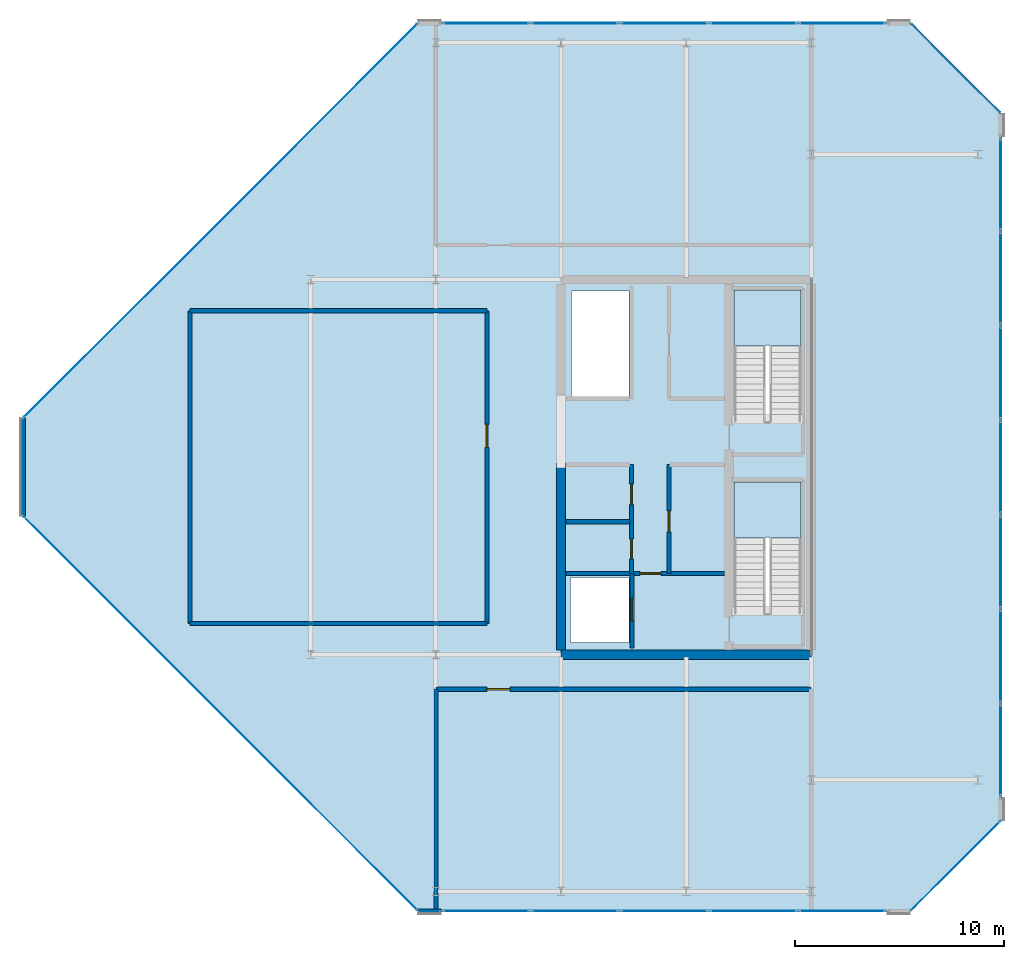
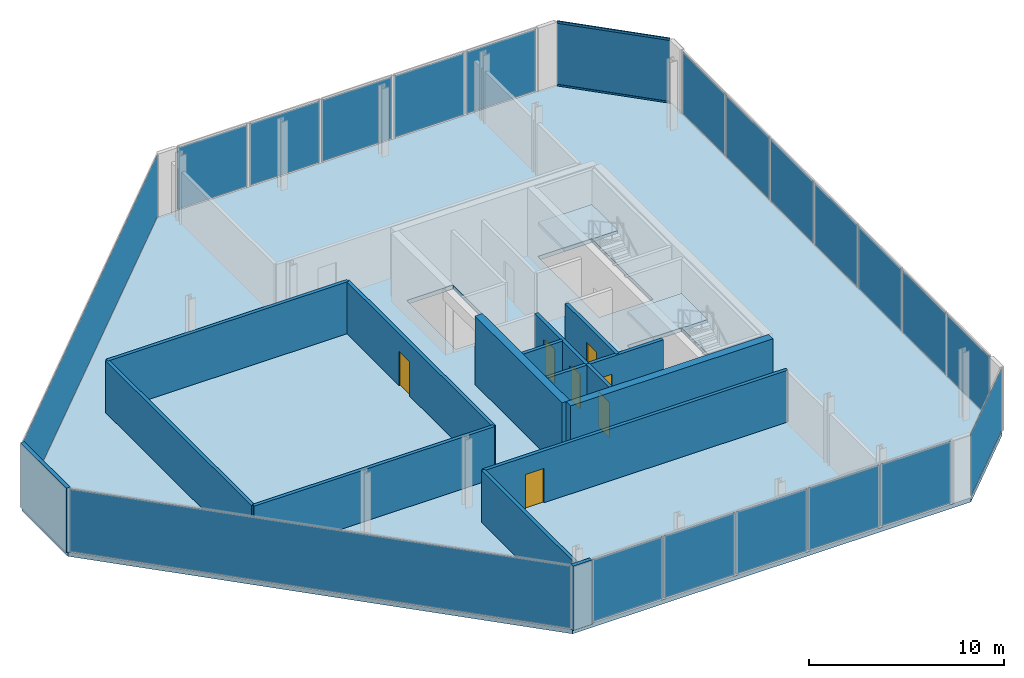
# One storey, part 13 of 16: 21 plates, 15 walls, 7 doors, 3 slabs, 2 members, 7 openings, 9 elements without a shape of their own.
"""IFC4 building model written with IfcOpenShell, lengths in metres."""

from ifc_helpers import new_model, si_unit, direction, frame, frame_2d, origin, origin_2d, place, context, subcontext, project, spatial, polyline, rectangle, hollow_rectangle, outline, extrude, material, layer, layer_set, material_profile, profile_set, type_object, element, fill, aggregate, save


model = new_model("IFC4")

# Units and contexts
model_context = context("Model", 3, precision=1e-05, world=origin(), true_north=direction((0.0, 1.0)))
body_context = subcontext(model_context, "Body", "Model", "MODEL_VIEW")
ifc_project = project(units=[si_unit("LENGTHUNIT", "METRE"), si_unit("AREAUNIT", "SQUARE_METRE"), si_unit("VOLUMEUNIT", "CUBIC_METRE"), si_unit("PLANEANGLEUNIT", "RADIAN"), si_unit("MASSUNIT", "GRAM", prefix="KILO")], contexts=[model_context])

# Site, building, storey
site_placement = place(None, origin())
site = spatial("IfcSite", under=ifc_project, at=site_placement, CompositionType="ELEMENT")
building_placement = place(site_placement, origin())
building = spatial("IfcBuilding", under=site, at=building_placement, Name="Tanjung Sevakor Pilgrim Tower", CompositionType="ELEMENT")
storey_placement = place(building_placement, frame((0.0, 0.0, 278.85009765625)))
storey = spatial("IfcBuildingStorey", under=building, at=storey_placement, Name="L78", CompositionType="ELEMENT", Elevation=278.85009765625)

# Curtain wall, members
ifc_material_1 = material(Name="Aluminium 6063-T6 and Low-E Glass", Category="aluminium")
ifc_layer_1 = layer(ifc_material_1, 0.179931640625)
ifc_layer_set_1 = layer_set([ifc_layer_1], Name="CW-SYS-CHAM")
curtain_wall_type_1 = type_object("IfcCurtainWallType", Name="CW-SYS-CHAM", PredefinedType="NOTDEFINED", material=ifc_layer_set_1)
curtain_wall_1_placement = place(storey_placement, origin())
curtain_wall_1 = element("IfcCurtainWall", 1, at=curtain_wall_1_placement, inside=storey, type_object=curtain_wall_type_1, Name="L78 Curtain Wall CW-CHM-L78-EAST-3", PredefinedType="NOTDEFINED")
ifc_material_2 = material(Name="Aluminium 6063-T6", Category="aluminium")
ifc_material_profile = material_profile(ifc_material_2, hollow_rectangle(XDim=0.06494140625, YDim=0.139892578125, WallThickness=0.00390625, at=origin_2d()))
ifc_profile_set = profile_set([ifc_material_profile], Name="Aluminium 6063-T6")
member_type = type_object("IfcMemberType", Name="TYPE-CWT-1", PredefinedType="USERDEFINED", material=ifc_profile_set)
member_1_placement = place(storey_placement, frame((99.0439453125, 50.600341796875, 0.032470703125), z_axis=(-0.707106781187, 0.707106781187, 0.0), x_axis=(-0.707106781187, -0.707106781187, 0.0)))
member_1 = element("IfcMember", 2, at=member_1_placement, type_object=member_type, Name="CW-CHM transom 1.1", ObjectType="TRANSOM", PredefinedType="USERDEFINED", context=body_context, shape_type="SweptSolid", body=[
    extrude(hollow_rectangle(XDim=0.06494140625, YDim=0.139892578125, WallThickness=0.00390625, at=origin_2d()), origin(), (0.0, 0.0, 1.0), 6.00146484375),
])
member_2_placement = place(storey_placement, frame((99.0439453125, 50.600341796875, 3.997314453125), z_axis=(-0.707106781187, 0.707106781187, 0.0), x_axis=(-0.707106781187, -0.707106781187, 0.0)))
member_2 = element("IfcMember", 3, at=member_2_placement, type_object=member_type, Name="CW-CHM transom 1.2", ObjectType="TRANSOM", PredefinedType="USERDEFINED", context=body_context, shape_type="SweptSolid", body=[
    extrude(hollow_rectangle(XDim=0.06494140625, YDim=0.139892578125, WallThickness=0.00390625, at=origin_2d()), origin(), (0.0, 0.0, 1.0), 6.00146484375),
])

# Slab
ifc_material_3 = material(Name="Concrete C40/50", Category="concrete")
ifc_layer_2 = layer(ifc_material_3, 0.260009765625)
ifc_layer_set_2 = layer_set([ifc_layer_2], Name="SL-CRN-260")
slab_type_1 = type_object("IfcSlabType", Name="SL-CRN-260", PredefinedType="FLOOR", material=ifc_layer_set_2)
slab_1_placement = place(storey_placement, frame((0.0, 0.0, -0.260009765625)))
element("IfcSlab", 4, at=slab_1_placement, inside=storey, type_object=slab_type_1, Name="L78 Floor Slab EAST", PredefinedType="FLOOR", context=body_context, shape_type="SweptSolid", body=[
    extrude(outline(polyline([(71.14697265625, 12.280029296875), (94.753173828125, 12.280029296875), (99.1201171875, 16.64697265625), (99.1201171875, 50.552978515625), (94.753173828125, 54.919921875), (71.14697265625, 54.919921875), (52.179931640625, 35.953125), (52.179931640625, 31.246826171875), (71.14697265625, 12.280029296875)]), holes=[polyline([(89.5, 26.60009765625), (89.5, 32.89990234375), (86.300048828125, 32.89990234375), (86.300048828125, 26.60009765625), (89.5, 26.60009765625)]), polyline([(89.5, 35.800048828125), (89.5, 42.10009765625), (86.300048828125, 42.10009765625), (86.300048828125, 35.800048828125), (89.5, 35.800048828125)]), polyline([(78.449951171875, 25.199951171875), (81.25, 25.199951171875), (81.25, 28.300048828125), (78.449951171875, 28.300048828125), (78.449951171875, 25.199951171875)]), polyline([(78.5, 37.0), (81.25, 37.0), (81.25, 42.050048828125), (78.5, 42.050048828125), (78.5, 37.0)])]), origin(), (0.0, 0.0, 1.0), 0.260009765625),
])

# Stair, slab
ifc_material_4 = material(Name="Concrete C40/50", Category="concrete")
stair_type = type_object("IfcStairType", Name="STAIR-ST-CR150", PredefinedType="HALF_TURN_STAIR", material=ifc_material_4)
stair_1_placement = place(storey_placement, origin())
stair_1 = element("IfcStair", 5, at=stair_1_placement, inside=storey, type_object=stair_type, Name="L78 East Core Exit Stair 1", PredefinedType="HALF_TURN_STAIR")
ifc_material_5 = material(Name="Concrete C40/50", Category="concrete")
ifc_layer_3 = layer(ifc_material_5, 0.199951171875)
ifc_layer_set_3 = layer_set([ifc_layer_3], Name="SL-LAND-200")
slab_type_2 = type_object("IfcSlabType", Name="SL-LAND-200", PredefinedType="LANDING", material=ifc_layer_set_3)
slab_2_placement = place(storey_placement, frame((0.0, 0.0, 1.94482421875)))
slab_2 = element("IfcSlab", 6, at=slab_2_placement, type_object=slab_type_2, Name="TS-E1 landing 1", PredefinedType="LANDING", context=body_context, shape_type="SweptSolid", body=[
    extrude(outline(polyline([(89.5, 30.199951171875), (89.5, 32.89990234375), (86.300048828125, 32.89990234375), (86.300048828125, 30.199951171875), (89.5, 30.199951171875)])), origin(), (0.0, 0.0, 1.0), 0.2001953125),
])
aggregate(stair_1, [slab_2])

stair_2_placement = place(storey_placement, origin())
stair_2 = element("IfcStair", 7, at=stair_2_placement, inside=storey, type_object=stair_type, Name="L78 East Core Exit Stair 2", PredefinedType="HALF_TURN_STAIR")
slab_3_placement = place(storey_placement, frame((0.0, 0.0, 1.94482421875)))
slab_3 = element("IfcSlab", 8, at=slab_3_placement, type_object=slab_type_2, Name="TS-E2 landing 1", PredefinedType="LANDING", context=body_context, shape_type="SweptSolid", body=[
    extrude(outline(polyline([(89.5, 39.39990234375), (89.5, 42.10009765625), (86.300048828125, 42.10009765625), (86.300048828125, 39.39990234375), (89.5, 39.39990234375)])), origin(), (0.0, 0.0, 1.0), 0.2001953125),
])
aggregate(stair_2, [slab_3])

# Curtain wall, plates
ifc_material_6 = material(Name="Aluminium 6063-T6 and Low-E Glass", Category="aluminium")
ifc_layer_4 = layer(ifc_material_6, 0.219970703125)
ifc_layer_set_4 = layer_set([ifc_layer_4], Name="CW-SYS-CRNE")
curtain_wall_type_2 = type_object("IfcCurtainWallType", Name="CW-SYS-CRNE", PredefinedType="NOTDEFINED", material=ifc_layer_set_4)
curtain_wall_2_placement = place(storey_placement, origin())
curtain_wall_2 = element("IfcCurtainWall", 9, at=curtain_wall_2_placement, inside=storey, type_object=curtain_wall_type_2, Name="L78 Curtain Wall CW-CRN-L78-EAST-0-1", PredefinedType="NOTDEFINED")
ifc_material_7 = material(Name="Laminated Low-E Double Glazing", Category="glass")
ifc_layer_5 = layer(ifc_material_7, 0.028076171875)
ifc_layer_set_5 = layer_set([ifc_layer_5], Name="TYPE-CWP-GLZ1")
plate_type = type_object("IfcPlateType", Name="TYPE-CWP-GLZ1", PredefinedType="CURTAIN_PANEL", material=ifc_layer_set_5)
plate_1_placement = place(storey_placement, frame((74.406494140625, 12.31005859375, 0.079833984375), z_axis=(0.0, 0.0, 1.0), x_axis=(1.0, 0.0, 0.0)))
plate_1 = element("IfcPlate", 10, at=plate_1_placement, type_object=plate_type, Name="CW-CRE panel 1.1", PredefinedType="CURTAIN_PANEL", context=body_context, shape_type="SweptSolid", body=[
    extrude(rectangle(XDim=4.161865234375, YDim=0.028076171875, at=origin_2d()), origin(), (0.0, 0.0, 1.0), 3.8701171875),
])
plate_2_placement = place(storey_placement, frame((78.668212890625, 12.31005859375, 0.079833984375), z_axis=(0.0, 0.0, 1.0), x_axis=(1.0, 0.0, 0.0)))
plate_2 = element("IfcPlate", 11, at=plate_2_placement, type_object=plate_type, Name="CW-CRE panel 2.1", PredefinedType="CURTAIN_PANEL", context=body_context, shape_type="SweptSolid", body=[
    extrude(rectangle(XDim=4.20166015625, YDim=0.028076171875, at=origin_2d()), origin(), (0.0, 0.0, 1.0), 3.8701171875),
])
plate_3_placement = place(storey_placement, frame((82.949951171875, 12.31005859375, 0.079833984375), z_axis=(0.0, 0.0, 1.0), x_axis=(1.0, 0.0, 0.0)))
plate_3 = element("IfcPlate", 12, at=plate_3_placement, type_object=plate_type, Name="CW-CRE panel 3.1", PredefinedType="CURTAIN_PANEL", context=body_context, shape_type="SweptSolid", body=[
    extrude(rectangle(XDim=4.20166015625, YDim=0.028076171875, at=origin_2d()), origin(), (0.0, 0.0, 1.0), 3.8701171875),
])
plate_4_placement = place(storey_placement, frame((87.231689453125, 12.31005859375, 0.079833984375), z_axis=(0.0, 0.0, 1.0), x_axis=(1.0, 0.0, 0.0)))
plate_4 = element("IfcPlate", 13, at=plate_4_placement, type_object=plate_type, Name="CW-CRE panel 4.1", PredefinedType="CURTAIN_PANEL", context=body_context, shape_type="SweptSolid", body=[
    extrude(rectangle(XDim=4.20166015625, YDim=0.028076171875, at=origin_2d()), origin(), (0.0, 0.0, 1.0), 3.8701171875),
])
plate_5_placement = place(storey_placement, frame((91.493408203125, 12.31005859375, 0.079833984375), z_axis=(0.0, 0.0, 1.0), x_axis=(1.0, 0.0, 0.0)))
plate_5 = element("IfcPlate", 14, at=plate_5_placement, type_object=plate_type, Name="CW-CRE panel 5.1", PredefinedType="CURTAIN_PANEL", context=body_context, shape_type="SweptSolid", body=[
    extrude(rectangle(XDim=4.161865234375, YDim=0.028076171875, at=origin_2d()), origin(), (0.0, 0.0, 1.0), 3.8701171875),
])
aggregate(curtain_wall_2, [plate_1, plate_2, plate_3, plate_4, plate_5])

# Curtain wall, plate
curtain_wall_3_placement = place(storey_placement, origin())
curtain_wall_3 = element("IfcCurtainWall", 15, at=curtain_wall_3_placement, inside=storey, type_object=curtain_wall_type_1, Name="L78 Curtain Wall CW-CHM-L78-EAST-1", PredefinedType="NOTDEFINED")
plate_6_placement = place(storey_placement, frame((96.922119140625, 14.477783203125, 0.06494140625), z_axis=(0.0, 0.0, 1.0), x_axis=(0.707106781187, 0.707106781187, 0.0)))
plate_6 = element("IfcPlate", 16, at=plate_6_placement, type_object=plate_type, Name="CW-CHM panel 1.1", PredefinedType="CURTAIN_PANEL", context=body_context, shape_type="SweptSolid", body=[
    extrude(rectangle(XDim=6.00146484375, YDim=0.028076171875, at=origin_2d()), origin(), (0.0, 0.0, 1.0), 3.89990234375),
])
aggregate(curtain_wall_3, [plate_6])

# Curtain wall, plates
curtain_wall_4_placement = place(storey_placement, origin())
curtain_wall_4 = element("IfcCurtainWall", 17, at=curtain_wall_4_placement, inside=storey, type_object=curtain_wall_type_2, Name="L78 Curtain Wall CW-CRN-L78-EAST-2-1", PredefinedType="NOTDEFINED")
plate_7_placement = place(storey_placement, frame((99.090087890625, 20.030517578125, 0.079833984375), z_axis=(0.0, 0.0, 1.0), x_axis=(0.0, 1.0, 0.0)))
plate_7 = element("IfcPlate", 18, at=plate_7_placement, type_object=plate_type, Name="CW-CRE panel 1.1", PredefinedType="CURTAIN_PANEL", context=body_context, shape_type="SweptSolid", body=[
    extrude(rectangle(XDim=4.409912109375, YDim=0.028076171875, at=origin_2d()), origin(), (0.0, 0.0, 1.0), 3.8701171875),
])
plate_8_placement = place(storey_placement, frame((99.090087890625, 24.540283203125, 0.079833984375), z_axis=(0.0, 0.0, 1.0), x_axis=(0.0, 1.0, 0.0)))
plate_8 = element("IfcPlate", 19, at=plate_8_placement, type_object=plate_type, Name="CW-CRE panel 2.1", PredefinedType="CURTAIN_PANEL", context=body_context, shape_type="SweptSolid", body=[
    extrude(rectangle(XDim=4.44970703125, YDim=0.028076171875, at=origin_2d()), origin(), (0.0, 0.0, 1.0), 3.8701171875),
])
plate_9_placement = place(storey_placement, frame((99.090087890625, 29.070068359375, 0.079833984375), z_axis=(0.0, 0.0, 1.0), x_axis=(0.0, 1.0, 0.0)))
plate_9 = element("IfcPlate", 20, at=plate_9_placement, type_object=plate_type, Name="CW-CRE panel 3.1", PredefinedType="CURTAIN_PANEL", context=body_context, shape_type="SweptSolid", body=[
    extrude(rectangle(XDim=4.44970703125, YDim=0.028076171875, at=origin_2d()), origin(), (0.0, 0.0, 1.0), 3.8701171875),
])
plate_10_placement = place(storey_placement, frame((99.090087890625, 33.60009765625, 0.079833984375), z_axis=(0.0, 0.0, 1.0), x_axis=(0.0, 1.0, 0.0)))
plate_10 = element("IfcPlate", 21, at=plate_10_placement, type_object=plate_type, Name="CW-CRE panel 4.1", PredefinedType="CURTAIN_PANEL", context=body_context, shape_type="SweptSolid", body=[
    extrude(rectangle(XDim=4.44970703125, YDim=0.028076171875, at=origin_2d()), origin(), (0.0, 0.0, 1.0), 3.8701171875),
])
plate_11_placement = place(storey_placement, frame((99.090087890625, 38.1298828125, 0.079833984375), z_axis=(0.0, 0.0, 1.0), x_axis=(0.0, 1.0, 0.0)))
plate_11 = element("IfcPlate", 22, at=plate_11_placement, type_object=plate_type, Name="CW-CRE panel 5.1", PredefinedType="CURTAIN_PANEL", context=body_context, shape_type="SweptSolid", body=[
    extrude(rectangle(XDim=4.44970703125, YDim=0.028076171875, at=origin_2d()), origin(), (0.0, 0.0, 1.0), 3.8701171875),
])
plate_12_placement = place(storey_placement, frame((99.090087890625, 42.65966796875, 0.079833984375), z_axis=(0.0, 0.0, 1.0), x_axis=(0.0, 1.0, 0.0)))
plate_12 = element("IfcPlate", 23, at=plate_12_placement, type_object=plate_type, Name="CW-CRE panel 6.1", PredefinedType="CURTAIN_PANEL", context=body_context, shape_type="SweptSolid", body=[
    extrude(rectangle(XDim=4.44970703125, YDim=0.028076171875, at=origin_2d()), origin(), (0.0, 0.0, 1.0), 3.8701171875),
])
plate_13_placement = place(storey_placement, frame((99.090087890625, 47.16943359375, 0.079833984375), z_axis=(0.0, 0.0, 1.0), x_axis=(0.0, 1.0, 0.0)))
plate_13 = element("IfcPlate", 24, at=plate_13_placement, type_object=plate_type, Name="CW-CRE panel 7.1", PredefinedType="CURTAIN_PANEL", context=body_context, shape_type="SweptSolid", body=[
    extrude(rectangle(XDim=4.409912109375, YDim=0.028076171875, at=origin_2d()), origin(), (0.0, 0.0, 1.0), 3.8701171875),
])
aggregate(curtain_wall_4, [plate_7, plate_8, plate_9, plate_10, plate_11, plate_12, plate_13])

# Plate
plate_14_placement = place(storey_placement, frame((96.922119140625, 52.72216796875, 0.06494140625), z_axis=(0.0, 0.0, 1.0), x_axis=(-0.707106781187, 0.707106781187, 0.0)))
plate_14 = element("IfcPlate", 25, at=plate_14_placement, type_object=plate_type, Name="CW-CHM panel 1.1", PredefinedType="CURTAIN_PANEL", context=body_context, shape_type="SweptSolid", body=[
    extrude(rectangle(XDim=6.00146484375, YDim=0.028076171875, at=origin_2d()), origin(), (0.0, 0.0, 1.0), 3.89990234375),
])

aggregate(curtain_wall_1, [member_1, member_2, plate_14])

# Curtain wall, plates
curtain_wall_5_placement = place(storey_placement, origin())
curtain_wall_5 = element("IfcCurtainWall", 26, at=curtain_wall_5_placement, inside=storey, type_object=curtain_wall_type_2, Name="L78 Curtain Wall CW-CRN-L78-EAST-4-1", PredefinedType="NOTDEFINED")
plate_15_placement = place(storey_placement, frame((91.493408203125, 54.889892578125, 0.079833984375), z_axis=(0.0, 0.0, 1.0), x_axis=(-1.0, 0.0, 0.0)))
plate_15 = element("IfcPlate", 27, at=plate_15_placement, type_object=plate_type, Name="CW-CRE panel 1.1", PredefinedType="CURTAIN_PANEL", context=body_context, shape_type="SweptSolid", body=[
    extrude(rectangle(XDim=4.161865234375, YDim=0.028076171875, at=origin_2d()), origin(), (0.0, 0.0, 1.0), 3.8701171875),
])
plate_16_placement = place(storey_placement, frame((87.231689453125, 54.889892578125, 0.079833984375), z_axis=(0.0, 0.0, 1.0), x_axis=(-1.0, 0.0, 0.0)))
plate_16 = element("IfcPlate", 28, at=plate_16_placement, type_object=plate_type, Name="CW-CRE panel 2.1", PredefinedType="CURTAIN_PANEL", context=body_context, shape_type="SweptSolid", body=[
    extrude(rectangle(XDim=4.20166015625, YDim=0.028076171875, at=origin_2d()), origin(), (0.0, 0.0, 1.0), 3.8701171875),
])
plate_17_placement = place(storey_placement, frame((82.949951171875, 54.889892578125, 0.079833984375), z_axis=(0.0, 0.0, 1.0), x_axis=(-1.0, 0.0, 0.0)))
plate_17 = element("IfcPlate", 29, at=plate_17_placement, type_object=plate_type, Name="CW-CRE panel 3.1", PredefinedType="CURTAIN_PANEL", context=body_context, shape_type="SweptSolid", body=[
    extrude(rectangle(XDim=4.20166015625, YDim=0.028076171875, at=origin_2d()), origin(), (0.0, 0.0, 1.0), 3.8701171875),
])
plate_18_placement = place(storey_placement, frame((78.668212890625, 54.889892578125, 0.079833984375), z_axis=(0.0, 0.0, 1.0), x_axis=(-1.0, 0.0, 0.0)))
plate_18 = element("IfcPlate", 30, at=plate_18_placement, type_object=plate_type, Name="CW-CRE panel 4.1", PredefinedType="CURTAIN_PANEL", context=body_context, shape_type="SweptSolid", body=[
    extrude(rectangle(XDim=4.20166015625, YDim=0.028076171875, at=origin_2d()), origin(), (0.0, 0.0, 1.0), 3.8701171875),
])
plate_19_placement = place(storey_placement, frame((74.406494140625, 54.889892578125, 0.079833984375), z_axis=(0.0, 0.0, 1.0), x_axis=(-1.0, 0.0, 0.0)))
plate_19 = element("IfcPlate", 31, at=plate_19_placement, type_object=plate_type, Name="CW-CRE panel 5.1", PredefinedType="CURTAIN_PANEL", context=body_context, shape_type="SweptSolid", body=[
    extrude(rectangle(XDim=4.161865234375, YDim=0.028076171875, at=origin_2d()), origin(), (0.0, 0.0, 1.0), 3.8701171875),
])
aggregate(curtain_wall_5, [plate_15, plate_16, plate_17, plate_18, plate_19])

# Curtain wall, plate
curtain_wall_6_placement = place(storey_placement, origin())
curtain_wall_6 = element("IfcCurtainWall", 32, at=curtain_wall_6_placement, inside=storey, type_object=curtain_wall_type_1, Name="L78 Curtain Wall CW-CHM-L78-EAST-5", PredefinedType="NOTDEFINED")
plate_20_placement = place(storey_placement, frame((61.677734375, 45.422119140625, 0.06494140625), z_axis=(0.0, 0.0, 1.0), x_axis=(-0.707106781187, -0.707106781187, 0.0)))
plate_20 = element("IfcPlate", 33, at=plate_20_placement, type_object=plate_type, Name="CW-CHM panel 1.1", PredefinedType="CURTAIN_PANEL", context=body_context, shape_type="SweptSolid", body=[
    extrude(rectangle(XDim=26.64892578125, YDim=0.028076171875, at=origin_2d()), origin(), (0.0, 0.0, 1.0), 3.89990234375),
])
aggregate(curtain_wall_6, [plate_20])

curtain_wall_7_placement = place(storey_placement, origin())
curtain_wall_7 = element("IfcCurtainWall", 34, at=curtain_wall_7_placement, inside=storey, type_object=curtain_wall_type_1, Name="L78 Curtain Wall CW-CHM-L78-EAST-7", PredefinedType="NOTDEFINED")
plate_21_placement = place(storey_placement, frame((61.677734375, 21.77783203125, 0.06494140625), z_axis=(0.0, 0.0, 1.0), x_axis=(0.707106781187, -0.707106781187, 0.0)))
plate_21 = element("IfcPlate", 35, at=plate_21_placement, type_object=plate_type, Name="CW-CHM panel 1.1", PredefinedType="CURTAIN_PANEL", context=body_context, shape_type="SweptSolid", body=[
    extrude(rectangle(XDim=26.64892578125, YDim=0.028076171875, at=origin_2d()), origin(), (0.0, 0.0, 1.0), 3.89990234375),
])
aggregate(curtain_wall_7, [plate_21])

# Walls
ifc_material_8 = material(Name="Concrete C60/75", Category="concrete")
ifc_layer_6 = layer(ifc_material_8, 0.449951171875)
ifc_layer_set_6 = layer_set([ifc_layer_6], Name="WALL-CW-450")
wall_type_1 = type_object("IfcWallType", Name="WALL-CW-450", PredefinedType="SHEAR", material=ifc_layer_set_6)
wall_1_placement = place(storey_placement, frame((78.0, 24.60009765625, 0.0), z_axis=(0.0, 0.0, 1.0), x_axis=(1.0, 0.0, 0.0)))
element("IfcWall", 36, at=wall_1_placement, inside=storey, type_object=wall_type_1, Name="L78 E Core South Shear Wall", PredefinedType="SHEAR", context=body_context, shape_type="SweptSolid", body=[
    extrude(rectangle(XDim=12.0, YDim=0.449951171875, at=frame_2d((6.0, 0.0))), origin(), (0.0, 0.0, 1.0), 4.289794921875),
])
wall_2_placement = place(storey_placement, frame((78.0, 24.824951171875, 0.0), z_axis=(0.0, 0.0, 1.0), x_axis=(0.0, 1.0, 0.0)))
element("IfcWall", 37, at=wall_2_placement, inside=storey, type_object=wall_type_1, Name="L78 E Core Inner Shear Wall South", PredefinedType="SHEAR", context=body_context, shape_type="SweptSolid", body=[
    extrude(rectangle(XDim=8.97509765625, YDim=0.449951171875, at=frame_2d((4.487548828125, 0.0))), origin(), (0.0, 0.0, 1.0), 4.289794921875),
])
ifc_material_9 = material(Name="Precast concrete C45/55", Category="concrete")
ifc_layer_7 = layer(ifc_material_9, 0.219970703125)
ifc_layer_set_7 = layer_set([ifc_layer_7], Name="WT-EW-STN4")
wall_type_2 = type_object("IfcWallType", Name="WT-EW-STN4", PredefinedType="SOLIDWALL", material=ifc_layer_set_7)
wall_3_placement = place(storey_placement, frame((71.1455078125, 12.31005859375, 0.0), z_axis=(0.0, 0.0, 1.0), x_axis=(1.0, 0.0, 0.0)))
element("IfcWall", 38, at=wall_3_placement, inside=storey, type_object=wall_type_2, Name="L78 EAST Crown Pier 0-1A", PredefinedType="SOLIDWALL", context=body_context, shape_type="SweptSolid", body=[
    extrude(rectangle(XDim=1.10009765625, YDim=0.219970703125, at=frame_2d((0.550048828125, 0.0))), origin(), (0.0, 0.0, 1.0), 4.030029296875),
])
wall_4_placement = place(storey_placement, frame((52.2099609375, 35.954345703125, 0.0), z_axis=(0.0, 0.0, 1.0), x_axis=(0.0, -1.0, 0.0)))
element("IfcWall", 39, at=wall_4_placement, inside=storey, type_object=wall_type_2, Name="L78 EAST Exterior Wall 7", PredefinedType="SOLIDWALL", context=body_context, shape_type="SweptSolid", body=[
    extrude(rectangle(XDim=4.708740234375, YDim=0.219970703125, at=frame_2d((2.3544921875, 0.0))), origin(), (0.0, 0.0, 1.0), 4.030029296875),
])

# Wall, opening, door
ifc_material_10 = material(Name="Concrete C40/50", Category="concrete")
ifc_layer_8 = layer(ifc_material_10, 0.199951171875)
ifc_layer_set_8 = layer_set([ifc_layer_8], Name="WT-FPRT-200")
wall_type_3 = type_object("IfcWallType", Name="WT-FPRT-200", PredefinedType="SOLIDWALL", material=ifc_layer_set_8)
wall_5_placement = place(storey_placement, frame((81.39990234375, 24.919921875, 0.0), z_axis=(0.0, 0.0, 1.0), x_axis=(0.0, 1.0, 0.0)))
wall_5 = element("IfcWall", 40, at=wall_5_placement, inside=storey, type_object=wall_type_3, Name="L78 Partition IW-L78-001", PredefinedType="SOLIDWALL", context=body_context, shape_type="SweptSolid", body=[
    extrude(rectangle(XDim=3.580078125, YDim=0.199951171875, at=frame_2d((1.7900390625, 0.0))), origin(), (0.0, 0.0, 1.0), 3.25),
])
opening_1_placement = place(wall_5_placement, frame((1.300048828125, 0.0, 0.0)))
opening_1 = element("IfcOpeningElement", 41, at=opening_1_placement, cuts=wall_5, Name="Opening LD-1100", PredefinedType="OPENING", context=body_context, shape_type="SweptSolid", body=[
    extrude(rectangle(XDim=1.10009765625, YDim=2.199951171875, at=frame_2d((0.550048828125, 1.10009765625))), frame((0.0, 0.10986328125, 0.0), z_axis=(0.0, -1.0, 0.0), x_axis=(1.0, 0.0, 0.0)), (0.0, 0.0, 1.0), 0.219970703125),
])
ifc_material_11 = material(Name="Brushed Stainless Steel S355J2", Category="steel")
door_type_1 = type_object("IfcDoorType", Name="DT-LIFT-1100", OperationType="SLIDING_TO_LEFT", PredefinedType="DOOR", material=ifc_material_11)
door_1_placement = place(opening_1_placement, origin())
door_1 = element("IfcDoor", 42, at=door_1_placement, inside=storey, type_object=door_type_1, Name="LD-FL-E", OperationType="SLIDING_TO_LEFT", OverallHeight=2.199951171875, OverallWidth=1.10009765625, PredefinedType="DOOR", context=body_context, shape_type="SweptSolid", body=[
    extrude(rectangle(XDim=1.10009765625, YDim=2.199951171875, at=frame_2d((0.550048828125, 1.10009765625))), frame((0.0, 0.02490234375, 0.0), z_axis=(0.0, -1.0, 0.0), x_axis=(1.0, 0.0, 0.0)), (0.0, 0.0, 1.0), 0.050048828125),
])
fill(opening_1, door_1)

wall_6_placement = place(storey_placement, frame((78.2451171875, 28.5, 0.0), z_axis=(0.0, 0.0, 1.0), x_axis=(1.0, 0.0, 0.0)))
wall_6 = element("IfcWall", 43, at=wall_6_placement, inside=storey, type_object=wall_type_3, Name="L78 Partition IW-L78-002", PredefinedType="SOLIDWALL", context=body_context, shape_type="SweptSolid", body=[
    extrude(rectangle(XDim=7.5849609375, YDim=0.199951171875, at=frame_2d((3.79248046875, 0.0))), origin(), (0.0, 0.0, 1.0), 3.25),
])
opening_2_placement = place(wall_6_placement, frame((3.554931640625, 0.0, 0.0)))
opening_2 = element("IfcOpeningElement", 44, at=opening_2_placement, cuts=wall_6, Name="Opening ID-FD1", PredefinedType="OPENING", context=body_context, shape_type="SweptSolid", body=[
    extrude(rectangle(XDim=1.0, YDim=2.14990234375, at=frame_2d((0.5, 1.074951171875))), frame((0.0, 0.10986328125, 0.0), z_axis=(0.0, -1.0, 0.0), x_axis=(1.0, 0.0, 0.0)), (0.0, 0.0, 1.0), 0.219970703125),
])
ifc_material_12 = material(Name="Fire-Rated Steel S355J2", Category="steel")
door_type_2 = type_object("IfcDoorType", Name="DT-FIRE-1000", OperationType="NOTDEFINED", PredefinedType="DOOR", material=ifc_material_12)
door_2_placement = place(opening_2_placement, origin())
door_2 = element("IfcDoor", 45, at=door_2_placement, inside=storey, type_object=door_type_2, Name="Fire Lobby Door E", OperationType="SINGLE_SWING_LEFT", OverallHeight=2.14990234375, OverallWidth=1.0, PredefinedType="DOOR", context=body_context, shape_type="SweptSolid", body=[
    extrude(rectangle(XDim=1.0, YDim=2.14990234375, at=frame_2d((0.5, 1.074951171875))), frame((0.0, 0.02490234375, 0.0), z_axis=(0.0, -1.0, 0.0), x_axis=(1.0, 0.0, 0.0)), (0.0, 0.0, 1.0), 0.050048828125),
])
fill(opening_2, door_2)

wall_7_placement = place(storey_placement, frame((83.179931640625, 28.5, 0.0), z_axis=(0.0, 0.0, 1.0), x_axis=(0.0, 1.0, 0.0)))
wall_7 = element("IfcWall", 46, at=wall_7_placement, inside=storey, type_object=wall_type_3, Name="L78 Partition IW-L78-004", PredefinedType="SOLIDWALL", context=body_context, shape_type="SweptSolid", body=[
    extrude(rectangle(XDim=5.219970703125, YDim=0.199951171875, at=frame_2d((2.60986328125, 0.0))), origin(), (0.0, 0.0, 1.0), 3.25),
])
opening_3_placement = place(wall_7_placement, frame((2.0, 0.0, 0.0)))
opening_3 = element("IfcOpeningElement", 47, at=opening_3_placement, cuts=wall_7, Name="Opening ID-FD1", PredefinedType="OPENING", context=body_context, shape_type="SweptSolid", body=[
    extrude(rectangle(XDim=1.0, YDim=2.14990234375, at=frame_2d((0.5, 1.074951171875))), frame((0.0, 0.10986328125, 0.0), z_axis=(0.0, -1.0, 0.0), x_axis=(1.0, 0.0, 0.0)), (0.0, 0.0, 1.0), 0.219970703125),
])
door_3_placement = place(opening_3_placement, origin())
door_3 = element("IfcDoor", 48, at=door_3_placement, inside=storey, type_object=door_type_2, Name="L78 Core Plant Door", OperationType="SINGLE_SWING_RIGHT", OverallHeight=2.14990234375, OverallWidth=1.0, PredefinedType="DOOR", context=body_context, shape_type="SweptSolid", body=[
    extrude(rectangle(XDim=1.0, YDim=2.14990234375, at=frame_2d((0.5, 1.074951171875))), frame((0.0, 0.02490234375, 0.0), z_axis=(0.0, -1.0, 0.0), x_axis=(1.0, 0.0, 0.0)), (0.0, 0.0, 1.0), 0.050048828125),
])
fill(opening_3, door_3)

# Wall
wall_8_placement = place(storey_placement, frame((78.2451171875, 30.97998046875, 0.0), z_axis=(0.0, 0.0, 1.0), x_axis=(1.0, 0.0, 0.0)))
element("IfcWall", 49, at=wall_8_placement, inside=storey, type_object=wall_type_3, Name="L78 Partition IW-L78-005", PredefinedType="SOLIDWALL", context=body_context, shape_type="SweptSolid", body=[
    extrude(rectangle(XDim=3.074951171875, YDim=0.199951171875, at=frame_2d((1.53759765625, 0.0))), origin(), (0.0, 0.0, 1.0), 3.25),
])

# Wall, openings, doors
wall_9_placement = place(storey_placement, frame((81.3798828125, 28.5, 0.0), z_axis=(0.0, 0.0, 1.0), x_axis=(0.0, 1.0, 0.0)))
wall_9 = element("IfcWall", 50, at=wall_9_placement, inside=storey, type_object=wall_type_3, Name="L78 Partition IW-L78-007", PredefinedType="SOLIDWALL", context=body_context, shape_type="SweptSolid", body=[
    extrude(rectangle(XDim=5.219970703125, YDim=0.199951171875, at=frame_2d((2.60986328125, 0.0))), origin(), (0.0, 0.0, 1.0), 3.25),
])
opening_4_placement = place(wall_9_placement, frame((0.699951171875, 0.0, 0.0)))
opening_4 = element("IfcOpeningElement", 51, at=opening_4_placement, cuts=wall_9, Name="Opening ID-FD2", PredefinedType="OPENING", context=body_context, shape_type="SweptSolid", body=[
    extrude(rectangle(XDim=0.949951171875, YDim=2.14990234375, at=frame_2d((0.47509765625, 1.074951171875))), frame((0.0, 0.10986328125, 0.0), z_axis=(0.0, -1.0, 0.0), x_axis=(1.0, 0.0, 0.0)), (0.0, 0.0, 1.0), 0.219970703125),
])
opening_5_placement = place(wall_9_placement, frame((3.300048828125, 0.0, 0.0)))
opening_5 = element("IfcOpeningElement", 52, at=opening_5_placement, cuts=wall_9, Name="Opening ID-FD1", PredefinedType="OPENING", context=body_context, shape_type="SweptSolid", body=[
    extrude(rectangle(XDim=1.0, YDim=2.14990234375, at=frame_2d((0.5, 1.074951171875))), frame((0.0, 0.10986328125, 0.0), z_axis=(0.0, -1.0, 0.0), x_axis=(1.0, 0.0, 0.0)), (0.0, 0.0, 1.0), 0.219970703125),
])
door_4_placement = place(opening_5_placement, origin())
door_4 = element("IfcDoor", 53, at=door_4_placement, inside=storey, type_object=door_type_2, Name="L78 Core AHU Plant Door", OperationType="SINGLE_SWING_RIGHT", OverallHeight=2.14990234375, OverallWidth=1.0, PredefinedType="DOOR", context=body_context, shape_type="SweptSolid", body=[
    extrude(rectangle(XDim=1.0, YDim=2.14990234375, at=frame_2d((0.5, 1.074951171875))), frame((0.0, 0.02490234375, 0.0), z_axis=(0.0, -1.0, 0.0), x_axis=(1.0, 0.0, 0.0)), (0.0, 0.0, 1.0), 0.050048828125),
])
fill(opening_5, door_4)
ifc_material_13 = material(Name="Fire-Rated Timber", Category="wood")
door_type_3 = type_object("IfcDoorType", Name="DT-FIRE-950", OperationType="NOTDEFINED", PredefinedType="DOOR", material=ifc_material_13)
door_5_placement = place(opening_4_placement, origin())
door_5 = element("IfcDoor", 54, at=door_5_placement, inside=storey, type_object=door_type_3, Name="L78 Core Accessible WC Door", OperationType="SINGLE_SWING_LEFT", OverallHeight=2.14990234375, OverallWidth=0.949951171875, PredefinedType="DOOR", context=body_context, shape_type="SweptSolid", body=[
    extrude(rectangle(XDim=0.949951171875, YDim=2.14990234375, at=frame_2d((0.47509765625, 1.074951171875))), frame((0.0, 0.02490234375, 0.0), z_axis=(0.0, -1.0, 0.0), x_axis=(1.0, 0.0, 0.0)), (0.0, 0.0, 1.0), 0.050048828125),
])
fill(opening_4, door_5)

# Walls
for number, where, z_axis, x_axis, name in (
    (55, (60.199951171875, 26.10009765625, 0.0), (0.0, 0.0, 1.0), (1.0, 0.0, 0.0), "L78 Partition IW-L78-012"),
    (56, (60.199951171875, 41.10009765625, 0.0), (0.0, 0.0, 1.0), (1.0, 0.0, 0.0), "L78 Partition IW-L78-013"),
):
    element("IfcWall", number, at=place(storey_placement, frame(where, z_axis=z_axis, x_axis=x_axis)), inside=storey, type_object=wall_type_3, Name=name, PredefinedType="SOLIDWALL", context=body_context, shape_type="SweptSolid", body=[
        extrude(rectangle(XDim=14.25, YDim=0.199951171875, at=frame_2d((7.125, 0.0))), origin(), (0.0, 0.0, 1.0), 3.25),
    ])
wall_10_placement = place(storey_placement, frame((60.199951171875, 26.10009765625, 0.0), z_axis=(0.0, 0.0, 1.0), x_axis=(0.0, 1.0, 0.0)))
element("IfcWall", 57, at=wall_10_placement, inside=storey, type_object=wall_type_3, Name="L78 Partition IW-L78-014", PredefinedType="SOLIDWALL", context=body_context, shape_type="SweptSolid", body=[
    extrude(rectangle(XDim=15.0, YDim=0.199951171875, at=frame_2d((7.5, 0.0))), origin(), (0.0, 0.0, 1.0), 3.25),
])

# Wall, opening, door
wall_11_placement = place(storey_placement, frame((74.449951171875, 26.10009765625, 0.0), z_axis=(0.0, 0.0, 1.0), x_axis=(0.0, 1.0, 0.0)))
wall_11 = element("IfcWall", 58, at=wall_11_placement, inside=storey, type_object=wall_type_3, Name="L78 Partition IW-L78-015", PredefinedType="SOLIDWALL", context=body_context, shape_type="SweptSolid", body=[
    extrude(rectangle(XDim=15.0, YDim=0.199951171875, at=frame_2d((7.5, 0.0))), origin(), (0.0, 0.0, 1.0), 3.25),
])
opening_6_placement = place(wall_11_placement, frame((8.449951171875, 0.0, 0.0)))
opening_6 = element("IfcOpeningElement", 59, at=opening_6_placement, cuts=wall_11, Name="Opening ID-FD0", PredefinedType="OPENING", context=body_context, shape_type="SweptSolid", body=[
    extrude(rectangle(XDim=1.10009765625, YDim=2.14990234375, at=frame_2d((0.550048828125, 1.074951171875))), frame((0.0, 0.10986328125, 0.0), z_axis=(0.0, -1.0, 0.0), x_axis=(1.0, 0.0, 0.0)), (0.0, 0.0, 1.0), 0.219970703125),
])
ifc_material_14 = material(Name="Fire-Rated Steel S355J2", Category="steel")
door_type_4 = type_object("IfcDoorType", Name="DT-FIRE-1100", OperationType="NOTDEFINED", PredefinedType="DOOR", material=ifc_material_14)
door_6_placement = place(opening_6_placement, origin())
door_6 = element("IfcDoor", 60, at=door_6_placement, inside=storey, type_object=door_type_4, Name="L78 Lift Machinery East Door", OperationType="SINGLE_SWING_RIGHT", OverallHeight=2.14990234375, OverallWidth=1.10009765625, PredefinedType="DOOR", context=body_context, shape_type="SweptSolid", body=[
    extrude(rectangle(XDim=1.10009765625, YDim=2.14990234375, at=frame_2d((0.550048828125, 1.074951171875))), frame((0.0, 0.02490234375, 0.0), z_axis=(0.0, -1.0, 0.0), x_axis=(1.0, 0.0, 0.0)), (0.0, 0.0, 1.0), 0.050048828125),
])
fill(opening_6, door_6)

wall_12_placement = place(storey_placement, frame((72.0, 22.949951171875, 0.0), z_axis=(0.0, 0.0, 1.0), x_axis=(1.0, 0.0, 0.0)))
wall_12 = element("IfcWall", 61, at=wall_12_placement, inside=storey, type_object=wall_type_3, Name="L78 Partition IW-L78-016", PredefinedType="SOLIDWALL", context=body_context, shape_type="SweptSolid", body=[
    extrude(rectangle(XDim=18.0, YDim=0.199951171875, at=frame_2d((9.0, 0.0))), origin(), (0.0, 0.0, 1.0), 3.25),
])
opening_7_placement = place(wall_12_placement, frame((2.449951171875, 0.0, 0.0)))
opening_7 = element("IfcOpeningElement", 62, at=opening_7_placement, cuts=wall_12, Name="Opening ID-FD0", PredefinedType="OPENING", context=body_context, shape_type="SweptSolid", body=[
    extrude(rectangle(XDim=1.10009765625, YDim=2.14990234375, at=frame_2d((0.550048828125, 1.074951171875))), frame((0.0, 0.10986328125, 0.0), z_axis=(0.0, -1.0, 0.0), x_axis=(1.0, 0.0, 0.0)), (0.0, 0.0, 1.0), 0.219970703125),
])
door_7_placement = place(opening_7_placement, origin())
door_7 = element("IfcDoor", 63, at=door_7_placement, inside=storey, type_object=door_type_4, Name="L78 South Plant Room Door", OperationType="SINGLE_SWING_LEFT", OverallHeight=2.14990234375, OverallWidth=1.10009765625, PredefinedType="DOOR", context=body_context, shape_type="SweptSolid", body=[
    extrude(rectangle(XDim=1.10009765625, YDim=2.14990234375, at=frame_2d((0.550048828125, 1.074951171875))), frame((0.0, 0.02490234375, 0.0), z_axis=(0.0, -1.0, 0.0), x_axis=(1.0, 0.0, 0.0)), (0.0, 0.0, 1.0), 0.050048828125),
])
fill(opening_7, door_7)

# Wall
wall_13_placement = place(storey_placement, frame((72.0, 12.340087890625, 0.0), z_axis=(0.0, 0.0, 1.0), x_axis=(0.0, 1.0, 0.0)))
element("IfcWall", 64, at=wall_13_placement, inside=storey, type_object=wall_type_3, Name="L78 Partition IW-L78-017", PredefinedType="SOLIDWALL", context=body_context, shape_type="SweptSolid", body=[
    extrude(rectangle(XDim=10.60986328125, YDim=0.199951171875, at=frame_2d((5.304931640625, 0.0))), origin(), (0.0, 0.0, 1.0), 3.25),
])

save(model, "model.ifc")
